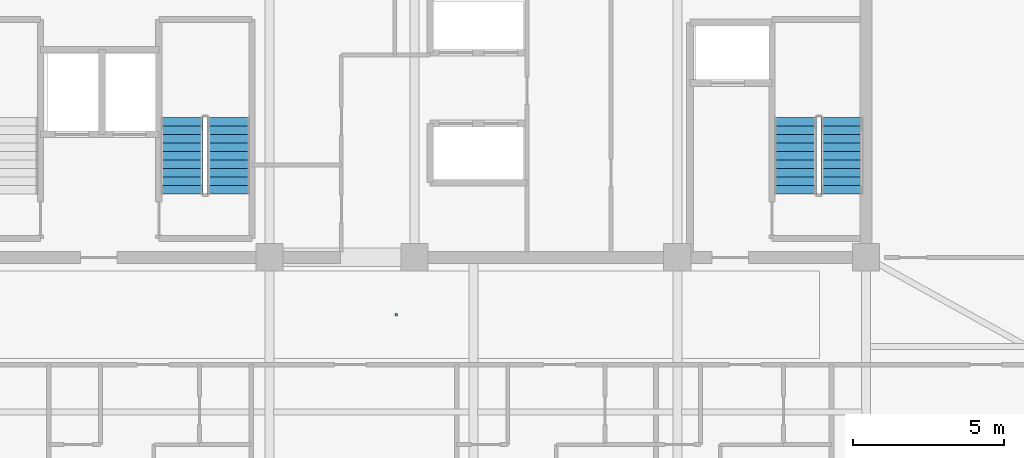
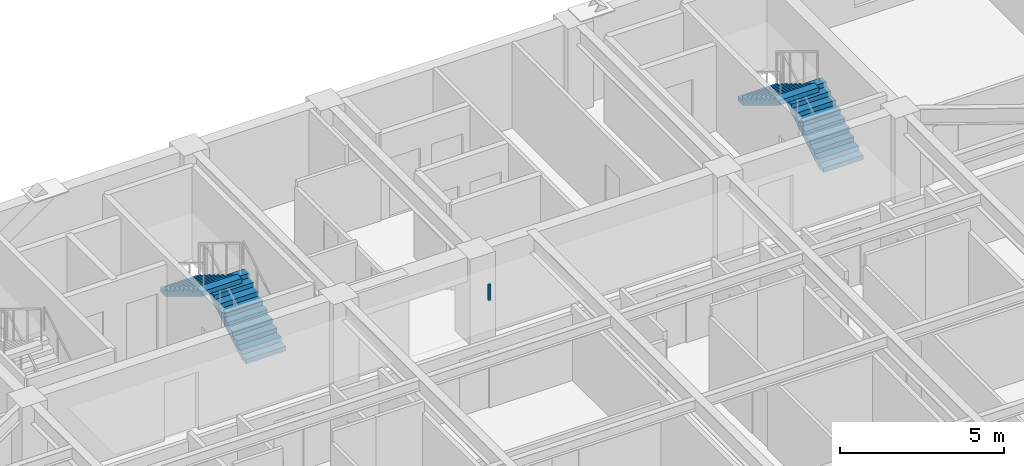
# One storey, part 12 of 17: 4 stair flights, 1 discrete accessory, 2 elements without a shape of their own.
"""IFC4 building model written with IfcOpenShell, lengths in metres."""

from ifc_helpers import new_model, si_unit, direction, frame, origin, origin_2d, place, context, subcontext, project, spatial, polyline, rectangle, outline, extrude, source, transform, mapped, material, type_object, element, aggregate, save


model = new_model("IFC4")

# Units and contexts
model_context = context("Model", 3, precision=1e-05, world=origin(), true_north=direction((0.0, 1.0)))
body_context = subcontext(model_context, "Body", "Model", "MODEL_VIEW")
ifc_project = project(units=[si_unit("LENGTHUNIT", "METRE"), si_unit("AREAUNIT", "SQUARE_METRE"), si_unit("VOLUMEUNIT", "CUBIC_METRE"), si_unit("PLANEANGLEUNIT", "RADIAN"), si_unit("MASSUNIT", "GRAM", prefix="KILO")], contexts=[model_context])

# Site, building, storey
site_placement = place(None, origin())
site = spatial("IfcSite", under=ifc_project, at=site_placement, CompositionType="ELEMENT")
building_placement = place(site_placement, origin())
building = spatial("IfcBuilding", under=site, at=building_placement, Name="Giltprow Tower", CompositionType="ELEMENT")
storey_placement = place(building_placement, frame((0.0, 0.0, 268.89990234375)))
storey = spatial("IfcBuildingStorey", under=building, at=storey_placement, Name="L69", CompositionType="ELEMENT", Elevation=268.89990234375)

# Stair, stair flights
ifc_material_1 = material(Name="Concrete C40", Category="concrete")
stair_type_1 = type_object("IfcStairType", Name="STR-ST-2", PredefinedType="HALF_TURN_STAIR", material=ifc_material_1)
stair_1_placement = place(storey_placement, origin())
stair_1 = element("IfcStair", 1, at=stair_1_placement, inside=storey, type_object=stair_type_1, Name="L69 Core Exit Stair ST-2", PredefinedType="HALF_TURN_STAIR")
stair_flight_type_1 = type_object("IfcStairFlightType", Name="SFL-ST-2", PredefinedType="STRAIGHT", material=ifc_material_1)
stair_flight_1_placement = place(storey_placement, frame((29.4599609375, 39.550048828125, 0.0), z_axis=(0.0, 0.0, 1.0), x_axis=(0.0, 1.0, 0.0)))
stair_flight_1 = element("IfcStairFlight", 2, at=stair_flight_1_placement, type_object=stair_flight_type_1, Name="ST-2 flight 1", NumberOfRisers=10, NumberOfTreads=9, PredefinedType="STRAIGHT", RiserHeight=0.17, TreadLength=0.28, context=body_context, shape_type="SweptSolid", body=[
    extrude(outline(polyline([(0.0, 0.0), (0.0, 0.169921875), (0.280029296875, 0.169921875), (0.280029296875, 0.340087890625), (0.56005859375, 0.340087890625), (0.56005859375, 0.510009765625), (0.840087890625, 0.510009765625), (0.840087890625, 0.679931640625), (1.1201171875, 0.679931640625), (1.1201171875, 0.85009765625), (1.39990234375, 0.85009765625), (1.39990234375, 1.02001953125), (1.679931640625, 1.02001953125), (1.679931640625, 1.18994140625), (1.9599609375, 1.18994140625), (1.9599609375, 1.360107421875), (2.239990234375, 1.360107421875), (2.239990234375, 1.530029296875), (2.52001953125, 1.530029296875), (2.52001953125, 1.699951171875), (2.52001953125, 1.354736328125), (0.288818359375, 0.0), (0.0, 0.0)])), frame((0.0, 0.699951171875, 0.0), z_axis=(0.0, -1.0, 0.0), x_axis=(1.0, 0.0, 0.0)), (0.0, 0.0, 1.0), 1.39990234375),
])
stair_flight_2_placement = place(storey_placement, frame((27.89990234375, 42.070068359375, 1.7001953125), z_axis=(0.0, 0.0, 1.0), x_axis=(0.0, -1.0, 0.0)))
stair_flight_2 = element("IfcStairFlight", 3, at=stair_flight_2_placement, type_object=stair_flight_type_1, Name="ST-2 flight 2", NumberOfRisers=10, NumberOfTreads=9, PredefinedType="STRAIGHT", RiserHeight=0.17, TreadLength=0.28, context=body_context, shape_type="SweptSolid", body=[
    extrude(outline(polyline([(0.0, 0.0), (0.0, 0.169921875), (0.280029296875, 0.169921875), (0.280029296875, 0.340087890625), (0.56005859375, 0.340087890625), (0.56005859375, 0.510009765625), (0.840087890625, 0.510009765625), (0.840087890625, 0.679931640625), (1.1201171875, 0.679931640625), (1.1201171875, 0.85009765625), (1.39990234375, 0.85009765625), (1.39990234375, 1.02001953125), (1.679931640625, 1.02001953125), (1.679931640625, 1.18994140625), (1.9599609375, 1.18994140625), (1.9599609375, 1.360107421875), (2.239990234375, 1.360107421875), (2.239990234375, 1.530029296875), (2.52001953125, 1.530029296875), (2.52001953125, 1.699951171875), (2.52001953125, 1.354736328125), (0.288818359375, 0.0), (0.0, 0.0)])), frame((0.0, 0.699951171875, 0.0), z_axis=(0.0, -1.0, 0.0), x_axis=(1.0, 0.0, 0.0)), (0.0, 0.0, 1.0), 1.39990234375),
])
aggregate(stair_1, [stair_flight_1, stair_flight_2])

stair_type_2 = type_object("IfcStairType", Name="STR-ST-3", PredefinedType="HALF_TURN_STAIR", material=ifc_material_1)
stair_2_placement = place(storey_placement, origin())
stair_2 = element("IfcStair", 4, at=stair_2_placement, inside=storey, type_object=stair_type_2, Name="L69 Core Exit Stair ST-3", PredefinedType="HALF_TURN_STAIR")
stair_flight_type_2 = type_object("IfcStairFlightType", Name="SFL-ST-3", PredefinedType="STRAIGHT", material=ifc_material_1)
stair_flight_3_placement = place(storey_placement, frame((49.760009765625, 39.550048828125, 0.0), z_axis=(0.0, 0.0, 1.0), x_axis=(0.0, 1.0, 0.0)))
stair_flight_3 = element("IfcStairFlight", 5, at=stair_flight_3_placement, type_object=stair_flight_type_2, Name="ST-3 flight 1", NumberOfRisers=10, NumberOfTreads=9, PredefinedType="STRAIGHT", RiserHeight=0.17, TreadLength=0.28, context=body_context, shape_type="SweptSolid", body=[
    extrude(outline(polyline([(0.0, 0.0), (0.0, 0.169921875), (0.280029296875, 0.169921875), (0.280029296875, 0.340087890625), (0.56005859375, 0.340087890625), (0.56005859375, 0.510009765625), (0.840087890625, 0.510009765625), (0.840087890625, 0.679931640625), (1.1201171875, 0.679931640625), (1.1201171875, 0.85009765625), (1.39990234375, 0.85009765625), (1.39990234375, 1.02001953125), (1.679931640625, 1.02001953125), (1.679931640625, 1.18994140625), (1.9599609375, 1.18994140625), (1.9599609375, 1.360107421875), (2.239990234375, 1.360107421875), (2.239990234375, 1.530029296875), (2.52001953125, 1.530029296875), (2.52001953125, 1.699951171875), (2.52001953125, 1.354736328125), (0.288818359375, 0.0), (0.0, 0.0)])), frame((0.0, 0.699951171875, 0.0), z_axis=(0.0, -1.0, 0.0), x_axis=(1.0, 0.0, 0.0)), (0.0, 0.0, 1.0), 1.39990234375),
])
stair_flight_4_placement = place(storey_placement, frame((48.199951171875, 42.070068359375, 1.7001953125), z_axis=(0.0, 0.0, 1.0), x_axis=(0.0, -1.0, 0.0)))
stair_flight_4 = element("IfcStairFlight", 6, at=stair_flight_4_placement, type_object=stair_flight_type_2, Name="ST-3 flight 2", NumberOfRisers=10, NumberOfTreads=9, PredefinedType="STRAIGHT", RiserHeight=0.17, TreadLength=0.28, context=body_context, shape_type="SweptSolid", body=[
    extrude(outline(polyline([(0.0, 0.0), (0.0, 0.169921875), (0.280029296875, 0.169921875), (0.280029296875, 0.340087890625), (0.56005859375, 0.340087890625), (0.56005859375, 0.510009765625), (0.840087890625, 0.510009765625), (0.840087890625, 0.679931640625), (1.1201171875, 0.679931640625), (1.1201171875, 0.85009765625), (1.39990234375, 0.85009765625), (1.39990234375, 1.02001953125), (1.679931640625, 1.02001953125), (1.679931640625, 1.18994140625), (1.9599609375, 1.18994140625), (1.9599609375, 1.360107421875), (2.239990234375, 1.360107421875), (2.239990234375, 1.530029296875), (2.52001953125, 1.530029296875), (2.52001953125, 1.699951171875), (2.52001953125, 1.354736328125), (0.288818359375, 0.0), (0.0, 0.0)])), frame((0.0, 0.699951171875, 0.0), z_axis=(0.0, -1.0, 0.0), x_axis=(1.0, 0.0, 0.0)), (0.0, 0.0, 1.0), 1.39990234375),
])
aggregate(stair_2, [stair_flight_3, stair_flight_4])

# Discrete accessory
ifc_material_2 = material(Name="Structural steel Q355B", Category="steel")
discrete_accessory_type = type_object("IfcDiscreteAccessoryType", Name="ACC-CLG-HANGER", PredefinedType="BRACKET", material=ifc_material_2)
shared_shape = source(origin(), body_context, "Body", "SweptSolid", [
    extrude(rectangle(XDim=0.080078125, YDim=0.080078125, at=origin_2d()), origin(), (0.0, 0.0, 1.0), 0.5849609375),
])
discrete_accessory_placement = place(storey_placement, frame((35.0, 35.550048828125, 2.61962890625), z_axis=(0.0, 0.0, 1.0), x_axis=(1.0, 0.0, 0.0)))
element("IfcDiscreteAccessory", 7, at=discrete_accessory_placement, inside=storey, type_object=discrete_accessory_type, Name="L69 Residence Gallery Ceiling Suspension Hanger", PredefinedType="BRACKET", context=body_context, shape_type="MappedRepresentation", body=[
    mapped(shared_shape, transform((0.0, 0.0, 0.0), x_axis=(1.0, 0.0, 0.0), y_axis=(0.0, 1.0, 0.0), z_axis=(0.0, 0.0, 1.0), scale=1.0)),
])

save(model, "model.ifc")
